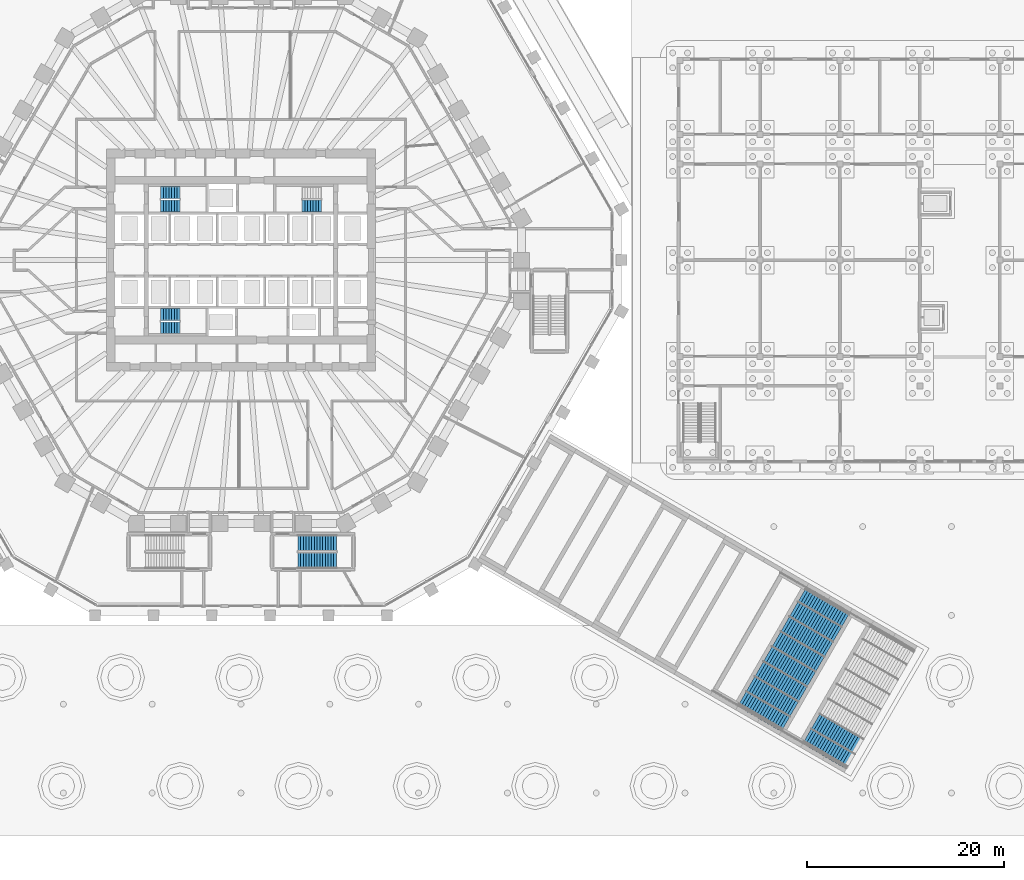
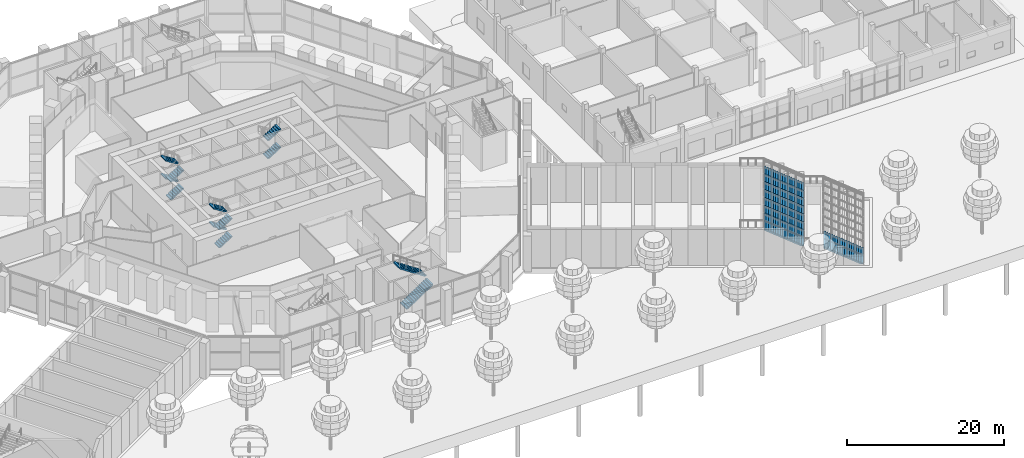
# One storey, part 30 of 44: 22 stair flights, 5 elements without a shape of their own.
"""IFC4 building model written with IfcOpenShell, lengths in metres."""

from ifc_helpers import new_model, si_unit, direction, frame, origin, place, context, subcontext, project, spatial, polyline, outline, extrude, material, layer, layer_set, type_object, element, aggregate, save


model = new_model("IFC4")

# Units and contexts
model_context = context("Model", 3, precision=1e-05, world=origin(), true_north=direction((0.0, 1.0)))
body_context = subcontext(model_context, "Body", "Model", "MODEL_VIEW")
ifc_project = project(units=[si_unit("LENGTHUNIT", "METRE"), si_unit("AREAUNIT", "SQUARE_METRE"), si_unit("VOLUMEUNIT", "CUBIC_METRE"), si_unit("PLANEANGLEUNIT", "RADIAN"), si_unit("MASSUNIT", "GRAM", prefix="KILO")], contexts=[model_context])

# Site, building, storey
site_placement = place(None, origin())
site = spatial("IfcSite", under=ifc_project, at=site_placement, CompositionType="ELEMENT")
building_placement = place(site_placement, origin())
building = spatial("IfcBuilding", under=site, at=building_placement, Name="Frailejon Research Tower", CompositionType="ELEMENT")
storey_placement = place(building_placement, origin())
storey = spatial("IfcBuildingStorey", under=building, at=storey_placement, Name="L00", CompositionType="ELEMENT", Elevation=0.0)

# Stair, stair flights
ifc_material_1 = material(Name="Concrete C35/45", Category="concrete")
stair_type_1 = type_object("IfcStairType", Name="Broad stair", PredefinedType="STRAIGHT_RUN_STAIR", material=ifc_material_1)
stair_1_placement = place(storey_placement, origin())
stair_1 = element("IfcStair", 1, at=stair_1_placement, inside=storey, type_object=stair_type_1, Name="Broad stair E1", PredefinedType="STRAIGHT_RUN_STAIR")
ifc_material_2 = material(Name="Concrete C35/45", Category="concrete")
stair_flight_type_1 = type_object("IfcStairFlightType", Name="Broad stair flight", PredefinedType="STRAIGHT", material=ifc_material_2)
stair_flight_1_placement = place(storey_placement, frame((55.18505859375, -47.0166015625, 2.800048828125), z_axis=(0.0, 0.0, 1.0), x_axis=(-0.866025403784, 0.5, 0.0)))
stair_flight_1 = element("IfcStairFlight", 2, at=stair_flight_1_placement, type_object=stair_flight_type_1, Name="SS-E1 flight 1", NumberOfRisers=18, NumberOfTreads=17, PredefinedType="STRAIGHT", RiserHeight=0.155555556, TreadLength=0.3, context=body_context, shape_type="SweptSolid", body=[
    extrude(outline(polyline([(0.0, 0.0), (0.0, 0.155517578125), (0.300048828125, 0.155517578125), (0.300048828125, 0.31103515625), (0.60009765625, 0.31103515625), (0.60009765625, 0.466552734375), (0.89990234375, 0.466552734375), (0.89990234375, 0.622314453125), (1.199951171875, 0.622314453125), (1.199951171875, 0.77783203125), (1.5, 0.77783203125), (1.5, 0.933349609375), (1.800048828125, 0.933349609375), (1.800048828125, 1.0888671875), (2.10009765625, 1.0888671875), (2.10009765625, 1.244384765625), (2.39990234375, 1.244384765625), (2.39990234375, 1.39990234375), (2.699951171875, 1.39990234375), (2.699951171875, 1.5556640625), (3.0, 1.5556640625), (3.0, 1.711181640625), (3.300048828125, 1.711181640625), (3.300048828125, 1.86669921875), (3.60009765625, 1.86669921875), (3.60009765625, 2.022216796875), (3.89990234375, 2.022216796875), (3.89990234375, 2.177734375), (4.199951171875, 2.177734375), (4.199951171875, 2.333251953125), (4.5, 2.333251953125), (4.5, 2.48876953125), (4.800048828125, 2.48876953125), (4.800048828125, 2.64453125), (5.10009765625, 2.64453125), (5.10009765625, 2.800048828125), (5.10009765625, 2.419189453125), (0.434326171875, 0.0), (0.0, 0.0)])), frame((0.0, 0.875, 0.0), z_axis=(0.0, -1.0, 0.0), x_axis=(1.0, 0.0, 0.0)), (0.0, 0.0, 1.0), 1.75),
])
stair_flight_2_placement = place(storey_placement, frame((56.06005859375, -45.5009765625, 2.800048828125), z_axis=(0.0, 0.0, 1.0), x_axis=(-0.866025403784, 0.5, 0.0)))
stair_flight_2 = element("IfcStairFlight", 3, at=stair_flight_2_placement, type_object=stair_flight_type_1, Name="SS-E1 flight 2", NumberOfRisers=18, NumberOfTreads=17, PredefinedType="STRAIGHT", RiserHeight=0.155555556, TreadLength=0.3, context=body_context, shape_type="SweptSolid", body=[
    extrude(outline(polyline([(0.0, 0.0), (0.0, 0.155517578125), (0.300048828125, 0.155517578125), (0.300048828125, 0.31103515625), (0.60009765625, 0.31103515625), (0.60009765625, 0.466552734375), (0.89990234375, 0.466552734375), (0.89990234375, 0.622314453125), (1.199951171875, 0.622314453125), (1.199951171875, 0.77783203125), (1.5, 0.77783203125), (1.5, 0.933349609375), (1.800048828125, 0.933349609375), (1.800048828125, 1.0888671875), (2.10009765625, 1.0888671875), (2.10009765625, 1.244384765625), (2.39990234375, 1.244384765625), (2.39990234375, 1.39990234375), (2.699951171875, 1.39990234375), (2.699951171875, 1.5556640625), (3.0, 1.5556640625), (3.0, 1.711181640625), (3.300048828125, 1.711181640625), (3.300048828125, 1.86669921875), (3.60009765625, 1.86669921875), (3.60009765625, 2.022216796875), (3.89990234375, 2.022216796875), (3.89990234375, 2.177734375), (4.199951171875, 2.177734375), (4.199951171875, 2.333251953125), (4.5, 2.333251953125), (4.5, 2.48876953125), (4.800048828125, 2.48876953125), (4.800048828125, 2.64453125), (5.10009765625, 2.64453125), (5.10009765625, 2.800048828125), (5.10009765625, 2.419189453125), (0.434326171875, 0.0), (0.0, 0.0)])), frame((0.0, 0.875, 0.0), z_axis=(0.0, -1.0, 0.0), x_axis=(1.0, 0.0, 0.0)), (0.0, 0.0, 1.0), 1.75),
])
stair_flight_3_placement = place(storey_placement, frame((56.93505859375, -43.985595703125, 2.800048828125), z_axis=(0.0, 0.0, 1.0), x_axis=(-0.866025403784, 0.5, 0.0)))
stair_flight_3 = element("IfcStairFlight", 4, at=stair_flight_3_placement, type_object=stair_flight_type_1, Name="SS-E1 flight 3", NumberOfRisers=18, NumberOfTreads=17, PredefinedType="STRAIGHT", RiserHeight=0.155555556, TreadLength=0.3, context=body_context, shape_type="SweptSolid", body=[
    extrude(outline(polyline([(0.0, 0.0), (0.0, 0.155517578125), (0.300048828125, 0.155517578125), (0.300048828125, 0.31103515625), (0.60009765625, 0.31103515625), (0.60009765625, 0.466552734375), (0.89990234375, 0.466552734375), (0.89990234375, 0.622314453125), (1.199951171875, 0.622314453125), (1.199951171875, 0.77783203125), (1.5, 0.77783203125), (1.5, 0.933349609375), (1.800048828125, 0.933349609375), (1.800048828125, 1.0888671875), (2.10009765625, 1.0888671875), (2.10009765625, 1.244384765625), (2.39990234375, 1.244384765625), (2.39990234375, 1.39990234375), (2.699951171875, 1.39990234375), (2.699951171875, 1.5556640625), (3.0, 1.5556640625), (3.0, 1.711181640625), (3.300048828125, 1.711181640625), (3.300048828125, 1.86669921875), (3.60009765625, 1.86669921875), (3.60009765625, 2.022216796875), (3.89990234375, 2.022216796875), (3.89990234375, 2.177734375), (4.199951171875, 2.177734375), (4.199951171875, 2.333251953125), (4.5, 2.333251953125), (4.5, 2.48876953125), (4.800048828125, 2.48876953125), (4.800048828125, 2.64453125), (5.10009765625, 2.64453125), (5.10009765625, 2.800048828125), (5.10009765625, 2.419189453125), (0.434326171875, 0.0), (0.0, 0.0)])), frame((0.0, 0.875, 0.0), z_axis=(0.0, -1.0, 0.0), x_axis=(1.0, 0.0, 0.0)), (0.0, 0.0, 1.0), 1.75),
])
stair_flight_4_placement = place(storey_placement, frame((57.81005859375, -42.469970703125, 2.800048828125), z_axis=(0.0, 0.0, 1.0), x_axis=(-0.866025403784, 0.5, 0.0)))
stair_flight_4 = element("IfcStairFlight", 5, at=stair_flight_4_placement, type_object=stair_flight_type_1, Name="SS-E1 flight 4", NumberOfRisers=18, NumberOfTreads=17, PredefinedType="STRAIGHT", RiserHeight=0.155555556, TreadLength=0.3, context=body_context, shape_type="SweptSolid", body=[
    extrude(outline(polyline([(0.0, 0.0), (0.0, 0.155517578125), (0.300048828125, 0.155517578125), (0.300048828125, 0.31103515625), (0.60009765625, 0.31103515625), (0.60009765625, 0.466552734375), (0.89990234375, 0.466552734375), (0.89990234375, 0.622314453125), (1.199951171875, 0.622314453125), (1.199951171875, 0.77783203125), (1.5, 0.77783203125), (1.5, 0.933349609375), (1.800048828125, 0.933349609375), (1.800048828125, 1.0888671875), (2.10009765625, 1.0888671875), (2.10009765625, 1.244384765625), (2.39990234375, 1.244384765625), (2.39990234375, 1.39990234375), (2.699951171875, 1.39990234375), (2.699951171875, 1.5556640625), (3.0, 1.5556640625), (3.0, 1.711181640625), (3.300048828125, 1.711181640625), (3.300048828125, 1.86669921875), (3.60009765625, 1.86669921875), (3.60009765625, 2.022216796875), (3.89990234375, 2.022216796875), (3.89990234375, 2.177734375), (4.199951171875, 2.177734375), (4.199951171875, 2.333251953125), (4.5, 2.333251953125), (4.5, 2.48876953125), (4.800048828125, 2.48876953125), (4.800048828125, 2.64453125), (5.10009765625, 2.64453125), (5.10009765625, 2.800048828125), (5.10009765625, 2.419189453125), (0.434326171875, 0.0), (0.0, 0.0)])), frame((0.0, 0.875, 0.0), z_axis=(0.0, -1.0, 0.0), x_axis=(1.0, 0.0, 0.0)), (0.0, 0.0, 1.0), 1.75),
])
stair_flight_5_placement = place(storey_placement, frame((58.68505859375, -40.954345703125, 2.800048828125), z_axis=(0.0, 0.0, 1.0), x_axis=(-0.866025403784, 0.5, 0.0)))
stair_flight_5 = element("IfcStairFlight", 6, at=stair_flight_5_placement, type_object=stair_flight_type_1, Name="SS-E1 flight 5", NumberOfRisers=18, NumberOfTreads=17, PredefinedType="STRAIGHT", RiserHeight=0.155555556, TreadLength=0.3, context=body_context, shape_type="SweptSolid", body=[
    extrude(outline(polyline([(0.0, 0.0), (0.0, 0.155517578125), (0.300048828125, 0.155517578125), (0.300048828125, 0.31103515625), (0.60009765625, 0.31103515625), (0.60009765625, 0.466552734375), (0.89990234375, 0.466552734375), (0.89990234375, 0.622314453125), (1.199951171875, 0.622314453125), (1.199951171875, 0.77783203125), (1.5, 0.77783203125), (1.5, 0.933349609375), (1.800048828125, 0.933349609375), (1.800048828125, 1.0888671875), (2.10009765625, 1.0888671875), (2.10009765625, 1.244384765625), (2.39990234375, 1.244384765625), (2.39990234375, 1.39990234375), (2.699951171875, 1.39990234375), (2.699951171875, 1.5556640625), (3.0, 1.5556640625), (3.0, 1.711181640625), (3.300048828125, 1.711181640625), (3.300048828125, 1.86669921875), (3.60009765625, 1.86669921875), (3.60009765625, 2.022216796875), (3.89990234375, 2.022216796875), (3.89990234375, 2.177734375), (4.199951171875, 2.177734375), (4.199951171875, 2.333251953125), (4.5, 2.333251953125), (4.5, 2.48876953125), (4.800048828125, 2.48876953125), (4.800048828125, 2.64453125), (5.10009765625, 2.64453125), (5.10009765625, 2.800048828125), (5.10009765625, 2.419189453125), (0.434326171875, 0.0), (0.0, 0.0)])), frame((0.0, 0.875, 0.0), z_axis=(0.0, -1.0, 0.0), x_axis=(1.0, 0.0, 0.0)), (0.0, 0.0, 1.0), 1.75),
])
stair_flight_6_placement = place(storey_placement, frame((59.56005859375, -39.43896484375, 2.800048828125), z_axis=(0.0, 0.0, 1.0), x_axis=(-0.866025403784, 0.5, 0.0)))
stair_flight_6 = element("IfcStairFlight", 7, at=stair_flight_6_placement, type_object=stair_flight_type_1, Name="SS-E1 flight 6", NumberOfRisers=18, NumberOfTreads=17, PredefinedType="STRAIGHT", RiserHeight=0.155555556, TreadLength=0.3, context=body_context, shape_type="SweptSolid", body=[
    extrude(outline(polyline([(0.0, 0.0), (0.0, 0.155517578125), (0.300048828125, 0.155517578125), (0.300048828125, 0.31103515625), (0.60009765625, 0.31103515625), (0.60009765625, 0.466552734375), (0.89990234375, 0.466552734375), (0.89990234375, 0.622314453125), (1.199951171875, 0.622314453125), (1.199951171875, 0.77783203125), (1.5, 0.77783203125), (1.5, 0.933349609375), (1.800048828125, 0.933349609375), (1.800048828125, 1.0888671875), (2.10009765625, 1.0888671875), (2.10009765625, 1.244384765625), (2.39990234375, 1.244384765625), (2.39990234375, 1.39990234375), (2.699951171875, 1.39990234375), (2.699951171875, 1.5556640625), (3.0, 1.5556640625), (3.0, 1.711181640625), (3.300048828125, 1.711181640625), (3.300048828125, 1.86669921875), (3.60009765625, 1.86669921875), (3.60009765625, 2.022216796875), (3.89990234375, 2.022216796875), (3.89990234375, 2.177734375), (4.199951171875, 2.177734375), (4.199951171875, 2.333251953125), (4.5, 2.333251953125), (4.5, 2.48876953125), (4.800048828125, 2.48876953125), (4.800048828125, 2.64453125), (5.10009765625, 2.64453125), (5.10009765625, 2.800048828125), (5.10009765625, 2.419189453125), (0.434326171875, 0.0), (0.0, 0.0)])), frame((0.0, 0.875, 0.0), z_axis=(0.0, -1.0, 0.0), x_axis=(1.0, 0.0, 0.0)), (0.0, 0.0, 1.0), 1.75),
])
stair_flight_7_placement = place(storey_placement, frame((60.43505859375, -37.92333984375, 2.800048828125), z_axis=(0.0, 0.0, 1.0), x_axis=(-0.866025403784, 0.5, 0.0)))
stair_flight_7 = element("IfcStairFlight", 8, at=stair_flight_7_placement, type_object=stair_flight_type_1, Name="SS-E1 flight 7", NumberOfRisers=18, NumberOfTreads=17, PredefinedType="STRAIGHT", RiserHeight=0.155555556, TreadLength=0.3, context=body_context, shape_type="SweptSolid", body=[
    extrude(outline(polyline([(0.0, 0.0), (0.0, 0.155517578125), (0.300048828125, 0.155517578125), (0.300048828125, 0.31103515625), (0.60009765625, 0.31103515625), (0.60009765625, 0.466552734375), (0.89990234375, 0.466552734375), (0.89990234375, 0.622314453125), (1.199951171875, 0.622314453125), (1.199951171875, 0.77783203125), (1.5, 0.77783203125), (1.5, 0.933349609375), (1.800048828125, 0.933349609375), (1.800048828125, 1.0888671875), (2.10009765625, 1.0888671875), (2.10009765625, 1.244384765625), (2.39990234375, 1.244384765625), (2.39990234375, 1.39990234375), (2.699951171875, 1.39990234375), (2.699951171875, 1.5556640625), (3.0, 1.5556640625), (3.0, 1.711181640625), (3.300048828125, 1.711181640625), (3.300048828125, 1.86669921875), (3.60009765625, 1.86669921875), (3.60009765625, 2.022216796875), (3.89990234375, 2.022216796875), (3.89990234375, 2.177734375), (4.199951171875, 2.177734375), (4.199951171875, 2.333251953125), (4.5, 2.333251953125), (4.5, 2.48876953125), (4.800048828125, 2.48876953125), (4.800048828125, 2.64453125), (5.10009765625, 2.64453125), (5.10009765625, 2.800048828125), (5.10009765625, 2.419189453125), (0.434326171875, 0.0), (0.0, 0.0)])), frame((0.0, 0.875, 0.0), z_axis=(0.0, -1.0, 0.0), x_axis=(1.0, 0.0, 0.0)), (0.0, 0.0, 1.0), 1.75),
])
stair_flight_8_placement = place(storey_placement, frame((61.31005859375, -36.40771484375, 2.800048828125), z_axis=(0.0, 0.0, 1.0), x_axis=(-0.866025403784, 0.5, 0.0)))
stair_flight_8 = element("IfcStairFlight", 9, at=stair_flight_8_placement, type_object=stair_flight_type_1, Name="SS-E1 flight 8", NumberOfRisers=18, NumberOfTreads=17, PredefinedType="STRAIGHT", RiserHeight=0.155555556, TreadLength=0.3, context=body_context, shape_type="SweptSolid", body=[
    extrude(outline(polyline([(0.0, 0.0), (0.0, 0.155517578125), (0.300048828125, 0.155517578125), (0.300048828125, 0.31103515625), (0.60009765625, 0.31103515625), (0.60009765625, 0.466552734375), (0.89990234375, 0.466552734375), (0.89990234375, 0.622314453125), (1.199951171875, 0.622314453125), (1.199951171875, 0.77783203125), (1.5, 0.77783203125), (1.5, 0.933349609375), (1.800048828125, 0.933349609375), (1.800048828125, 1.0888671875), (2.10009765625, 1.0888671875), (2.10009765625, 1.244384765625), (2.39990234375, 1.244384765625), (2.39990234375, 1.39990234375), (2.699951171875, 1.39990234375), (2.699951171875, 1.5556640625), (3.0, 1.5556640625), (3.0, 1.711181640625), (3.300048828125, 1.711181640625), (3.300048828125, 1.86669921875), (3.60009765625, 1.86669921875), (3.60009765625, 2.022216796875), (3.89990234375, 2.022216796875), (3.89990234375, 2.177734375), (4.199951171875, 2.177734375), (4.199951171875, 2.333251953125), (4.5, 2.333251953125), (4.5, 2.48876953125), (4.800048828125, 2.48876953125), (4.800048828125, 2.64453125), (5.10009765625, 2.64453125), (5.10009765625, 2.800048828125), (5.10009765625, 2.419189453125), (0.434326171875, 0.0), (0.0, 0.0)])), frame((0.0, 0.875, 0.0), z_axis=(0.0, -1.0, 0.0), x_axis=(1.0, 0.0, 0.0)), (0.0, 0.0, 1.0), 1.75),
])
stair_flight_9_placement = place(storey_placement, frame((61.766845703125, -50.816650390625, 0.0), z_axis=(0.0, 0.0, 1.0), x_axis=(-0.866025403784, 0.5, 0.0)))
stair_flight_9 = element("IfcStairFlight", 10, at=stair_flight_9_placement, type_object=stair_flight_type_1, Name="SS-E1 flight 9", NumberOfRisers=18, NumberOfTreads=17, PredefinedType="STRAIGHT", RiserHeight=0.155555556, TreadLength=0.3, context=body_context, shape_type="SweptSolid", body=[
    extrude(outline(polyline([(0.0, 0.0), (0.0, 0.155517578125), (0.300048828125, 0.155517578125), (0.300048828125, 0.31103515625), (0.60009765625, 0.31103515625), (0.60009765625, 0.466552734375), (0.89990234375, 0.466552734375), (0.89990234375, 0.622314453125), (1.199951171875, 0.622314453125), (1.199951171875, 0.77783203125), (1.5, 0.77783203125), (1.5, 0.933349609375), (1.800048828125, 0.933349609375), (1.800048828125, 1.0888671875), (2.10009765625, 1.0888671875), (2.10009765625, 1.244384765625), (2.39990234375, 1.244384765625), (2.39990234375, 1.39990234375), (2.699951171875, 1.39990234375), (2.699951171875, 1.5556640625), (3.0, 1.5556640625), (3.0, 1.711181640625), (3.300048828125, 1.711181640625), (3.300048828125, 1.86669921875), (3.60009765625, 1.86669921875), (3.60009765625, 2.022216796875), (3.89990234375, 2.022216796875), (3.89990234375, 2.177734375), (4.199951171875, 2.177734375), (4.199951171875, 2.333251953125), (4.5, 2.333251953125), (4.5, 2.48876953125), (4.800048828125, 2.48876953125), (4.800048828125, 2.64453125), (5.10009765625, 2.64453125), (5.10009765625, 2.800048828125), (5.10009765625, 2.419189453125), (0.434326171875, 0.0), (0.0, 0.0)])), frame((0.0, 0.875, 0.0), z_axis=(0.0, -1.0, 0.0), x_axis=(1.0, 0.0, 0.0)), (0.0, 0.0, 1.0), 1.75),
])
stair_flight_10_placement = place(storey_placement, frame((62.641845703125, -49.301025390625, 0.0), z_axis=(0.0, 0.0, 1.0), x_axis=(-0.866025403784, 0.5, 0.0)))
stair_flight_10 = element("IfcStairFlight", 11, at=stair_flight_10_placement, type_object=stair_flight_type_1, Name="SS-E1 flight 10", NumberOfRisers=18, NumberOfTreads=17, PredefinedType="STRAIGHT", RiserHeight=0.155555556, TreadLength=0.3, context=body_context, shape_type="SweptSolid", body=[
    extrude(outline(polyline([(0.0, 0.0), (0.0, 0.155517578125), (0.300048828125, 0.155517578125), (0.300048828125, 0.31103515625), (0.60009765625, 0.31103515625), (0.60009765625, 0.466552734375), (0.89990234375, 0.466552734375), (0.89990234375, 0.622314453125), (1.199951171875, 0.622314453125), (1.199951171875, 0.77783203125), (1.5, 0.77783203125), (1.5, 0.933349609375), (1.800048828125, 0.933349609375), (1.800048828125, 1.0888671875), (2.10009765625, 1.0888671875), (2.10009765625, 1.244384765625), (2.39990234375, 1.244384765625), (2.39990234375, 1.39990234375), (2.699951171875, 1.39990234375), (2.699951171875, 1.5556640625), (3.0, 1.5556640625), (3.0, 1.711181640625), (3.300048828125, 1.711181640625), (3.300048828125, 1.86669921875), (3.60009765625, 1.86669921875), (3.60009765625, 2.022216796875), (3.89990234375, 2.022216796875), (3.89990234375, 2.177734375), (4.199951171875, 2.177734375), (4.199951171875, 2.333251953125), (4.5, 2.333251953125), (4.5, 2.48876953125), (4.800048828125, 2.48876953125), (4.800048828125, 2.64453125), (5.10009765625, 2.64453125), (5.10009765625, 2.800048828125), (5.10009765625, 2.419189453125), (0.434326171875, 0.0), (0.0, 0.0)])), frame((0.0, 0.875, 0.0), z_axis=(0.0, -1.0, 0.0), x_axis=(1.0, 0.0, 0.0)), (0.0, 0.0, 1.0), 1.75),
])
aggregate(stair_1, [stair_flight_1, stair_flight_2, stair_flight_3, stair_flight_4, stair_flight_5, stair_flight_6, stair_flight_7, stair_flight_8, stair_flight_9, stair_flight_10])

ifc_material_3 = material(Name="Concrete C50/60", Category="concrete")
stair_type_2 = type_object("IfcStairType", Name="Exit stair 30 risers", PredefinedType="HALF_TURN_STAIR", material=ifc_material_3)
stair_2_placement = place(storey_placement, origin())
stair_2 = element("IfcStair", 12, at=stair_2_placement, inside=storey, type_object=stair_type_2, Name="L00 Exit stair PS4", PredefinedType="HALF_TURN_STAIR")
ifc_material_4 = material(Name="Concrete C50/60", Category="concrete")
ifc_layer_1 = layer(ifc_material_4, 0.14990234375)
ifc_layer_set_1 = layer_set([ifc_layer_1], Name="Stair flight 15 risers")
stair_flight_type_2 = type_object("IfcStairFlightType", Name="Stair flight 15 risers", PredefinedType="STRAIGHT", material=ifc_layer_set_1)
stair_flight_11_placement = place(storey_placement, frame((5.7568359375, -30.425048828125, 0.0), z_axis=(0.0, 0.0, 1.0), x_axis=(1.0, 0.0, 0.0)))
stair_flight_11 = element("IfcStairFlight", 13, at=stair_flight_11_placement, type_object=stair_flight_type_2, Name="PS4 flight 1", NumberOfRisers=15, NumberOfTreads=14, PredefinedType="STRAIGHT", RiserHeight=0.186666667, TreadLength=0.28, context=body_context, shape_type="SweptSolid", body=[
    extrude(outline(polyline([(0.0, 0.0), (0.0, 0.186767578125), (0.280029296875, 0.186767578125), (0.280029296875, 0.373291015625), (0.56005859375, 0.373291015625), (0.56005859375, 0.56005859375), (0.840087890625, 0.56005859375), (0.840087890625, 0.74658203125), (1.1201171875, 0.74658203125), (1.1201171875, 0.933349609375), (1.39990234375, 0.933349609375), (1.39990234375, 1.1201171875), (1.679931640625, 1.1201171875), (1.679931640625, 1.306640625), (1.9599609375, 1.306640625), (1.9599609375, 1.493408203125), (2.239990234375, 1.493408203125), (2.239990234375, 1.679931640625), (2.52001953125, 1.679931640625), (2.52001953125, 1.86669921875), (2.800048828125, 1.86669921875), (2.800048828125, 2.05322265625), (3.080078125, 2.05322265625), (3.080078125, 2.239990234375), (3.360107421875, 2.239990234375), (3.360107421875, 2.4267578125), (3.639892578125, 2.4267578125), (3.639892578125, 2.61328125), (3.919921875, 2.61328125), (3.919921875, 2.800048828125), (3.919921875, 2.43310546875), (0.270263671875, 0.0), (0.0, 0.0)])), frame((0.0, 0.800048828125, 0.0), z_axis=(0.0, -1.0, 0.0), x_axis=(1.0, 0.0, 0.0)), (0.0, 0.0, 1.0), 1.60009765625),
])
stair_flight_12_placement = place(storey_placement, frame((9.677001953125, -28.675048828125, 2.800048828125), z_axis=(0.0, 0.0, 1.0), x_axis=(-1.0, 0.0, 0.0)))
stair_flight_12 = element("IfcStairFlight", 14, at=stair_flight_12_placement, type_object=stair_flight_type_2, Name="PS4 flight 2", NumberOfRisers=15, NumberOfTreads=14, PredefinedType="STRAIGHT", RiserHeight=0.186666667, TreadLength=0.28, context=body_context, shape_type="SweptSolid", body=[
    extrude(outline(polyline([(0.0, 0.0), (0.0, 0.186767578125), (0.280029296875, 0.186767578125), (0.280029296875, 0.373291015625), (0.56005859375, 0.373291015625), (0.56005859375, 0.56005859375), (0.840087890625, 0.56005859375), (0.840087890625, 0.74658203125), (1.1201171875, 0.74658203125), (1.1201171875, 0.933349609375), (1.39990234375, 0.933349609375), (1.39990234375, 1.1201171875), (1.679931640625, 1.1201171875), (1.679931640625, 1.306640625), (1.9599609375, 1.306640625), (1.9599609375, 1.493408203125), (2.239990234375, 1.493408203125), (2.239990234375, 1.679931640625), (2.52001953125, 1.679931640625), (2.52001953125, 1.86669921875), (2.800048828125, 1.86669921875), (2.800048828125, 2.05322265625), (3.080078125, 2.05322265625), (3.080078125, 2.239990234375), (3.360107421875, 2.239990234375), (3.360107421875, 2.4267578125), (3.639892578125, 2.4267578125), (3.639892578125, 2.61328125), (3.919921875, 2.61328125), (3.919921875, 2.800048828125), (3.919921875, 2.43310546875), (0.270263671875, 0.0), (0.0, 0.0)])), frame((0.0, 0.800048828125, 0.0), z_axis=(0.0, -1.0, 0.0), x_axis=(1.0, 0.0, 0.0)), (0.0, 0.0, 1.0), 1.60009765625),
])
aggregate(stair_2, [stair_flight_11, stair_flight_12])

ifc_material_5 = material(Name="Concrete C50/60", Category="concrete")
stair_type_3 = type_object("IfcStairType", Name="Exit stair 32 risers", PredefinedType="HALF_TURN_STAIR", material=ifc_material_5)
stair_3_placement = place(storey_placement, origin())
stair_3 = element("IfcStair", 15, at=stair_3_placement, inside=storey, type_object=stair_type_3, Name="L00 Exit stair ST1", PredefinedType="HALF_TURN_STAIR")
ifc_material_6 = material(Name="Concrete C50/60", Category="concrete")
ifc_layer_2 = layer(ifc_material_6, 0.14990234375)
ifc_layer_set_2 = layer_set([ifc_layer_2], Name="Stair flight 8 risers")
stair_flight_type_3 = type_object("IfcStairFlightType", Name="Stair flight 8 risers", PredefinedType="STRAIGHT", material=ifc_layer_set_2)
stair_flight_13_placement = place(storey_placement, frame((-8.14990234375, 5.5, 0.0), z_axis=(0.0, 0.0, 1.0), x_axis=(1.0, 0.0, 0.0)))
stair_flight_13 = element("IfcStairFlight", 16, at=stair_flight_13_placement, type_object=stair_flight_type_3, Name="ST1 flight 1", NumberOfRisers=8, NumberOfTreads=7, PredefinedType="STRAIGHT", RiserHeight=0.175, TreadLength=0.28, context=body_context, shape_type="SweptSolid", body=[
    extrude(outline(polyline([(0.0, 0.0), (0.0, 0.175048828125), (0.280029296875, 0.175048828125), (0.280029296875, 0.35009765625), (0.56005859375, 0.35009765625), (0.56005859375, 0.52490234375), (0.840087890625, 0.52490234375), (0.840087890625, 0.699951171875), (1.1201171875, 0.699951171875), (1.1201171875, 0.875), (1.39990234375, 0.875), (1.39990234375, 1.050048828125), (1.679931640625, 1.050048828125), (1.679931640625, 1.22509765625), (1.9599609375, 1.22509765625), (1.9599609375, 1.39990234375), (1.9599609375, 1.04833984375), (0.28271484375, 0.0), (0.0, 0.0)])), frame((0.0, 0.60009765625, 0.0), z_axis=(0.0, -1.0, 0.0), x_axis=(1.0, 0.0, 0.0)), (0.0, 0.0, 1.0), 1.199951171875),
])
stair_flight_14_placement = place(storey_placement, frame((-6.18994140625, 6.85009765625, 1.39990234375), z_axis=(0.0, 0.0, 1.0), x_axis=(-1.0, 0.0, 0.0)))
stair_flight_14 = element("IfcStairFlight", 17, at=stair_flight_14_placement, type_object=stair_flight_type_3, Name="ST1 flight 2", NumberOfRisers=8, NumberOfTreads=7, PredefinedType="STRAIGHT", RiserHeight=0.175, TreadLength=0.28, context=body_context, shape_type="SweptSolid", body=[
    extrude(outline(polyline([(0.0, 0.0), (0.0, 0.175048828125), (0.280029296875, 0.175048828125), (0.280029296875, 0.35009765625), (0.56005859375, 0.35009765625), (0.56005859375, 0.52490234375), (0.840087890625, 0.52490234375), (0.840087890625, 0.699951171875), (1.1201171875, 0.699951171875), (1.1201171875, 0.875), (1.39990234375, 0.875), (1.39990234375, 1.050048828125), (1.679931640625, 1.050048828125), (1.679931640625, 1.22509765625), (1.9599609375, 1.22509765625), (1.9599609375, 1.39990234375), (1.9599609375, 1.04833984375), (0.28271484375, 0.0), (0.0, 0.0)])), frame((0.0, 0.60009765625, 0.0), z_axis=(0.0, -1.0, 0.0), x_axis=(1.0, 0.0, 0.0)), (0.0, 0.0, 1.0), 1.199951171875),
])
stair_flight_15_placement = place(storey_placement, frame((-8.14990234375, 5.5, 2.800048828125), z_axis=(0.0, 0.0, 1.0), x_axis=(1.0, 0.0, 0.0)))
stair_flight_15 = element("IfcStairFlight", 18, at=stair_flight_15_placement, type_object=stair_flight_type_3, Name="ST1 flight 3", NumberOfRisers=8, NumberOfTreads=7, PredefinedType="STRAIGHT", RiserHeight=0.175, TreadLength=0.28, context=body_context, shape_type="SweptSolid", body=[
    extrude(outline(polyline([(0.0, 0.0), (0.0, 0.175048828125), (0.280029296875, 0.175048828125), (0.280029296875, 0.35009765625), (0.56005859375, 0.35009765625), (0.56005859375, 0.52490234375), (0.840087890625, 0.52490234375), (0.840087890625, 0.699951171875), (1.1201171875, 0.699951171875), (1.1201171875, 0.875), (1.39990234375, 0.875), (1.39990234375, 1.050048828125), (1.679931640625, 1.050048828125), (1.679931640625, 1.22509765625), (1.9599609375, 1.22509765625), (1.9599609375, 1.39990234375), (1.9599609375, 1.04833984375), (0.28271484375, 0.0), (0.0, 0.0)])), frame((0.0, 0.60009765625, 0.0), z_axis=(0.0, -1.0, 0.0), x_axis=(1.0, 0.0, 0.0)), (0.0, 0.0, 1.0), 1.199951171875),
])
stair_flight_16_placement = place(storey_placement, frame((-6.18994140625, 6.85009765625, 4.199951171875), z_axis=(0.0, 0.0, 1.0), x_axis=(-1.0, 0.0, 0.0)))
stair_flight_16 = element("IfcStairFlight", 19, at=stair_flight_16_placement, type_object=stair_flight_type_3, Name="ST1 flight 4", NumberOfRisers=8, NumberOfTreads=7, PredefinedType="STRAIGHT", RiserHeight=0.175, TreadLength=0.28, context=body_context, shape_type="SweptSolid", body=[
    extrude(outline(polyline([(0.0, 0.0), (0.0, 0.175048828125), (0.280029296875, 0.175048828125), (0.280029296875, 0.35009765625), (0.56005859375, 0.35009765625), (0.56005859375, 0.52490234375), (0.840087890625, 0.52490234375), (0.840087890625, 0.699951171875), (1.1201171875, 0.699951171875), (1.1201171875, 0.875), (1.39990234375, 0.875), (1.39990234375, 1.050048828125), (1.679931640625, 1.050048828125), (1.679931640625, 1.22509765625), (1.9599609375, 1.22509765625), (1.9599609375, 1.39990234375), (1.9599609375, 1.04833984375), (0.28271484375, 0.0), (0.0, 0.0)])), frame((0.0, 0.60009765625, 0.0), z_axis=(0.0, -1.0, 0.0), x_axis=(1.0, 0.0, 0.0)), (0.0, 0.0, 1.0), 1.199951171875),
])
aggregate(stair_3, [stair_flight_13, stair_flight_14, stair_flight_15, stair_flight_16])

stair_4_placement = place(storey_placement, origin())
stair_4 = element("IfcStair", 20, at=stair_4_placement, inside=storey, type_object=stair_type_3, Name="L00 Exit stair ST2", PredefinedType="HALF_TURN_STAIR")
stair_flight_17_placement = place(storey_placement, frame((-8.14990234375, -6.85009765625, 0.0), z_axis=(0.0, 0.0, 1.0), x_axis=(1.0, 0.0, 0.0)))
stair_flight_17 = element("IfcStairFlight", 21, at=stair_flight_17_placement, type_object=stair_flight_type_3, Name="ST2 flight 1", NumberOfRisers=8, NumberOfTreads=7, PredefinedType="STRAIGHT", RiserHeight=0.175, TreadLength=0.28, context=body_context, shape_type="SweptSolid", body=[
    extrude(outline(polyline([(0.0, 0.0), (0.0, 0.175048828125), (0.280029296875, 0.175048828125), (0.280029296875, 0.35009765625), (0.56005859375, 0.35009765625), (0.56005859375, 0.52490234375), (0.840087890625, 0.52490234375), (0.840087890625, 0.699951171875), (1.1201171875, 0.699951171875), (1.1201171875, 0.875), (1.39990234375, 0.875), (1.39990234375, 1.050048828125), (1.679931640625, 1.050048828125), (1.679931640625, 1.22509765625), (1.9599609375, 1.22509765625), (1.9599609375, 1.39990234375), (1.9599609375, 1.04833984375), (0.28271484375, 0.0), (0.0, 0.0)])), frame((0.0, 0.60009765625, 0.0), z_axis=(0.0, -1.0, 0.0), x_axis=(1.0, 0.0, 0.0)), (0.0, 0.0, 1.0), 1.199951171875),
])
stair_flight_18_placement = place(storey_placement, frame((-6.18994140625, -5.5, 1.39990234375), z_axis=(0.0, 0.0, 1.0), x_axis=(-1.0, 0.0, 0.0)))
stair_flight_18 = element("IfcStairFlight", 22, at=stair_flight_18_placement, type_object=stair_flight_type_3, Name="ST2 flight 2", NumberOfRisers=8, NumberOfTreads=7, PredefinedType="STRAIGHT", RiserHeight=0.175, TreadLength=0.28, context=body_context, shape_type="SweptSolid", body=[
    extrude(outline(polyline([(0.0, 0.0), (0.0, 0.175048828125), (0.280029296875, 0.175048828125), (0.280029296875, 0.35009765625), (0.56005859375, 0.35009765625), (0.56005859375, 0.52490234375), (0.840087890625, 0.52490234375), (0.840087890625, 0.699951171875), (1.1201171875, 0.699951171875), (1.1201171875, 0.875), (1.39990234375, 0.875), (1.39990234375, 1.050048828125), (1.679931640625, 1.050048828125), (1.679931640625, 1.22509765625), (1.9599609375, 1.22509765625), (1.9599609375, 1.39990234375), (1.9599609375, 1.04833984375), (0.28271484375, 0.0), (0.0, 0.0)])), frame((0.0, 0.60009765625, 0.0), z_axis=(0.0, -1.0, 0.0), x_axis=(1.0, 0.0, 0.0)), (0.0, 0.0, 1.0), 1.199951171875),
])
stair_flight_19_placement = place(storey_placement, frame((-8.14990234375, -6.85009765625, 2.800048828125), z_axis=(0.0, 0.0, 1.0), x_axis=(1.0, 0.0, 0.0)))
stair_flight_19 = element("IfcStairFlight", 23, at=stair_flight_19_placement, type_object=stair_flight_type_3, Name="ST2 flight 3", NumberOfRisers=8, NumberOfTreads=7, PredefinedType="STRAIGHT", RiserHeight=0.175, TreadLength=0.28, context=body_context, shape_type="SweptSolid", body=[
    extrude(outline(polyline([(0.0, 0.0), (0.0, 0.175048828125), (0.280029296875, 0.175048828125), (0.280029296875, 0.35009765625), (0.56005859375, 0.35009765625), (0.56005859375, 0.52490234375), (0.840087890625, 0.52490234375), (0.840087890625, 0.699951171875), (1.1201171875, 0.699951171875), (1.1201171875, 0.875), (1.39990234375, 0.875), (1.39990234375, 1.050048828125), (1.679931640625, 1.050048828125), (1.679931640625, 1.22509765625), (1.9599609375, 1.22509765625), (1.9599609375, 1.39990234375), (1.9599609375, 1.04833984375), (0.28271484375, 0.0), (0.0, 0.0)])), frame((0.0, 0.60009765625, 0.0), z_axis=(0.0, -1.0, 0.0), x_axis=(1.0, 0.0, 0.0)), (0.0, 0.0, 1.0), 1.199951171875),
])
stair_flight_20_placement = place(storey_placement, frame((-6.18994140625, -5.5, 4.199951171875), z_axis=(0.0, 0.0, 1.0), x_axis=(-1.0, 0.0, 0.0)))
stair_flight_20 = element("IfcStairFlight", 24, at=stair_flight_20_placement, type_object=stair_flight_type_3, Name="ST2 flight 4", NumberOfRisers=8, NumberOfTreads=7, PredefinedType="STRAIGHT", RiserHeight=0.175, TreadLength=0.28, context=body_context, shape_type="SweptSolid", body=[
    extrude(outline(polyline([(0.0, 0.0), (0.0, 0.175048828125), (0.280029296875, 0.175048828125), (0.280029296875, 0.35009765625), (0.56005859375, 0.35009765625), (0.56005859375, 0.52490234375), (0.840087890625, 0.52490234375), (0.840087890625, 0.699951171875), (1.1201171875, 0.699951171875), (1.1201171875, 0.875), (1.39990234375, 0.875), (1.39990234375, 1.050048828125), (1.679931640625, 1.050048828125), (1.679931640625, 1.22509765625), (1.9599609375, 1.22509765625), (1.9599609375, 1.39990234375), (1.9599609375, 1.04833984375), (0.28271484375, 0.0), (0.0, 0.0)])), frame((0.0, 0.60009765625, 0.0), z_axis=(0.0, -1.0, 0.0), x_axis=(1.0, 0.0, 0.0)), (0.0, 0.0, 1.0), 1.199951171875),
])
aggregate(stair_4, [stair_flight_17, stair_flight_18, stair_flight_19, stair_flight_20])

stair_5_placement = place(storey_placement, origin())
stair_5 = element("IfcStair", 25, at=stair_5_placement, inside=storey, type_object=stair_type_3, Name="L00 Exit stair ST3", PredefinedType="HALF_TURN_STAIR")
stair_flight_21_placement = place(storey_placement, frame((6.18994140625, 5.5, 1.39990234375), z_axis=(0.0, 0.0, 1.0), x_axis=(1.0, 0.0, 0.0)))
stair_flight_21 = element("IfcStairFlight", 26, at=stair_flight_21_placement, type_object=stair_flight_type_3, Name="ST3 flight 2", NumberOfRisers=8, NumberOfTreads=7, PredefinedType="STRAIGHT", RiserHeight=0.175, TreadLength=0.28, context=body_context, shape_type="SweptSolid", body=[
    extrude(outline(polyline([(0.0, 0.0), (0.0, 0.175048828125), (0.280029296875, 0.175048828125), (0.280029296875, 0.35009765625), (0.56005859375, 0.35009765625), (0.56005859375, 0.52490234375), (0.840087890625, 0.52490234375), (0.840087890625, 0.699951171875), (1.1201171875, 0.699951171875), (1.1201171875, 0.875), (1.39990234375, 0.875), (1.39990234375, 1.050048828125), (1.679931640625, 1.050048828125), (1.679931640625, 1.22509765625), (1.9599609375, 1.22509765625), (1.9599609375, 1.39990234375), (1.9599609375, 1.04833984375), (0.28271484375, 0.0), (0.0, 0.0)])), frame((0.0, 0.60009765625, 0.0), z_axis=(0.0, -1.0, 0.0), x_axis=(1.0, 0.0, 0.0)), (0.0, 0.0, 1.0), 1.199951171875),
])
stair_flight_22_placement = place(storey_placement, frame((6.18994140625, 5.5, 4.199951171875), z_axis=(0.0, 0.0, 1.0), x_axis=(1.0, 0.0, 0.0)))
stair_flight_22 = element("IfcStairFlight", 27, at=stair_flight_22_placement, type_object=stair_flight_type_3, Name="ST3 flight 4", NumberOfRisers=8, NumberOfTreads=7, PredefinedType="STRAIGHT", RiserHeight=0.175, TreadLength=0.28, context=body_context, shape_type="SweptSolid", body=[
    extrude(outline(polyline([(0.0, 0.0), (0.0, 0.175048828125), (0.280029296875, 0.175048828125), (0.280029296875, 0.35009765625), (0.56005859375, 0.35009765625), (0.56005859375, 0.52490234375), (0.840087890625, 0.52490234375), (0.840087890625, 0.699951171875), (1.1201171875, 0.699951171875), (1.1201171875, 0.875), (1.39990234375, 0.875), (1.39990234375, 1.050048828125), (1.679931640625, 1.050048828125), (1.679931640625, 1.22509765625), (1.9599609375, 1.22509765625), (1.9599609375, 1.39990234375), (1.9599609375, 1.04833984375), (0.28271484375, 0.0), (0.0, 0.0)])), frame((0.0, 0.60009765625, 0.0), z_axis=(0.0, -1.0, 0.0), x_axis=(1.0, 0.0, 0.0)), (0.0, 0.0, 1.0), 1.199951171875),
])
aggregate(stair_5, [stair_flight_21, stair_flight_22])

save(model, "model.ifc")
